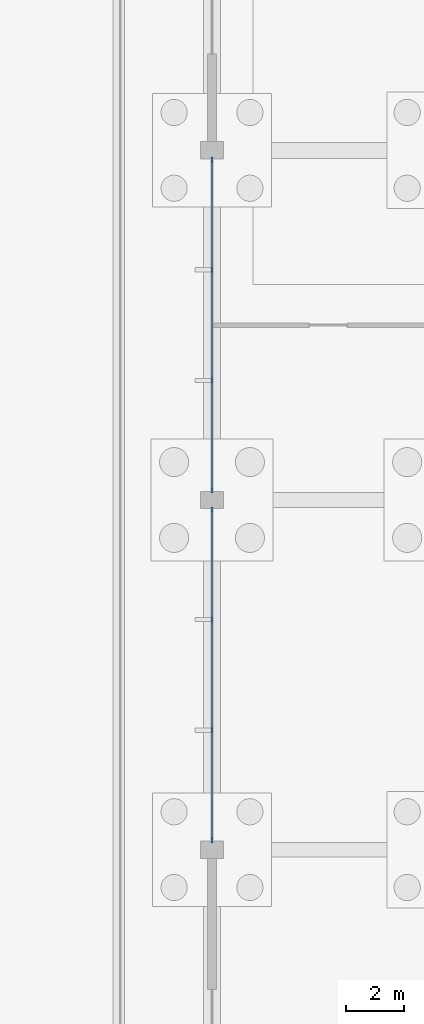
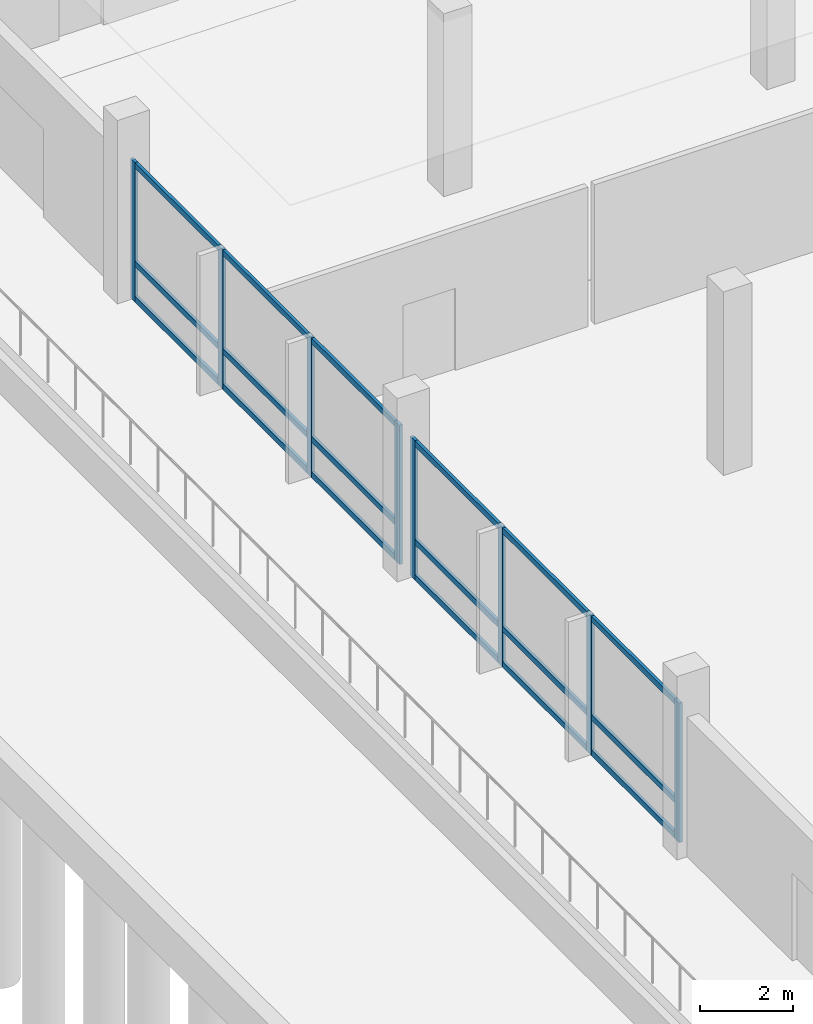
# One storey, part 23 of 72: 26 members, 2 elements without a shape of their own.
"""IFC4 building model written with IfcOpenShell, lengths in metres."""

from ifc_helpers import new_model, si_unit, direction, frame, origin, origin_2d, place, context, subcontext, project, spatial, rectangle, extrude, material, material_profile, profile_set, type_object, element, aggregate, save


model = new_model("IFC4")

# Units and contexts
model_context = context("Model", 3, precision=1e-05, world=origin(), true_north=direction((0.0, 1.0)))
body_context = subcontext(model_context, "Body", "Model", "MODEL_VIEW")
ifc_project = project(units=[si_unit("LENGTHUNIT", "METRE"), si_unit("AREAUNIT", "SQUARE_METRE"), si_unit("VOLUMEUNIT", "CUBIC_METRE"), si_unit("PLANEANGLEUNIT", "RADIAN"), si_unit("MASSUNIT", "GRAM", prefix="KILO"), si_unit("THERMODYNAMICTEMPERATUREUNIT", "KELVIN"), si_unit("POWERUNIT", "WATT")], contexts=[model_context])

# Site, building, storey
site_placement = place(None, origin())
site = spatial("IfcSite", under=ifc_project, at=site_placement, CompositionType="ELEMENT")
building_placement = place(site_placement, origin())
building = spatial("IfcBuilding", under=site, at=building_placement, Name="Kronsvod Quay Wholesale Market", CompositionType="ELEMENT")
storey_placement = place(building_placement, origin())
storey = spatial("IfcBuildingStorey", under=building, at=storey_placement, Name="L00", CompositionType="ELEMENT", Elevation=0.0)

# Curtain wall, members
ifc_material_1 = material(Name="Thermally broken aluminium and triple low-E glazing", Category="aluminium")
curtain_wall_type = type_object("IfcCurtainWallType", Name="CW_WestLab90x37", PredefinedType="NOTDEFINED", material=ifc_material_1)
curtain_wall_1_placement = place(storey_placement, origin())
curtain_wall_1 = element("IfcCurtainWall", 1, at=curtain_wall_1_placement, inside=storey, type_object=curtain_wall_type, Name="CWGY-L00-0-660", PredefinedType="NOTDEFINED")
ifc_material_2 = material(Name="Anodised aluminium", Category="aluminium")
ifc_material_profile_1 = material_profile(ifc_material_2, rectangle(XDim=0.074951171875, YDim=0.199951171875, at=origin_2d()), Name="ALUM75x200")
ifc_profile_set_1 = profile_set([ifc_material_profile_1], Name="Anodised aluminium")
member_type_1 = type_object("IfcMemberType", Name="Mullion_ALU75x200", PredefinedType="MULLION", material=ifc_profile_set_1)
member_1_placement = place(storey_placement, frame((0.0, 77.66748046875, 0.0), z_axis=(0.0, 0.0, 1.0), x_axis=(1.0, 0.0, 0.0)))
member_1 = element("IfcMember", 2, at=member_1_placement, type_object=member_type_1, Name="CWGY-L00-0-660-M1", PredefinedType="MULLION", context=body_context, shape_type="SweptSolid", body=[
    extrude(rectangle(XDim=0.074951171875, YDim=0.199951171875, at=origin_2d()), origin(), (0.0, 0.0, 1.0), 3.64990234375),
])
member_2_placement = place(storey_placement, frame((0.0, 73.901611328125, 0.0), z_axis=(0.0, 0.0, 1.0), x_axis=(1.0, 0.0, 0.0)))
member_2 = element("IfcMember", 3, at=member_2_placement, type_object=member_type_1, Name="CWGY-L00-0-660-M2", PredefinedType="MULLION", context=body_context, shape_type="SweptSolid", body=[
    extrude(rectangle(XDim=0.074951171875, YDim=0.199951171875, at=origin_2d()), origin(), (0.0, 0.0, 1.0), 3.64990234375),
])
member_3_placement = place(storey_placement, frame((0.0, 70.098388671875, 0.0), z_axis=(0.0, 0.0, 1.0), x_axis=(1.0, 0.0, 0.0)))
member_3 = element("IfcMember", 4, at=member_3_placement, type_object=member_type_1, Name="CWGY-L00-0-660-M3", PredefinedType="MULLION", context=body_context, shape_type="SweptSolid", body=[
    extrude(rectangle(XDim=0.074951171875, YDim=0.199951171875, at=origin_2d()), origin(), (0.0, 0.0, 1.0), 3.64990234375),
])
member_4_placement = place(storey_placement, frame((0.0, 66.33251953125, 0.0), z_axis=(0.0, 0.0, 1.0), x_axis=(1.0, 0.0, 0.0)))
member_4 = element("IfcMember", 5, at=member_4_placement, type_object=member_type_1, Name="CWGY-L00-0-660-M4", PredefinedType="MULLION", context=body_context, shape_type="SweptSolid", body=[
    extrude(rectangle(XDim=0.074951171875, YDim=0.199951171875, at=origin_2d()), origin(), (0.0, 0.0, 1.0), 3.64990234375),
])

curtain_wall_2_placement = place(storey_placement, origin())
curtain_wall_2 = element("IfcCurtainWall", 6, at=curtain_wall_2_placement, inside=storey, type_object=curtain_wall_type, Name="CWGY-L00-0-780", PredefinedType="NOTDEFINED")
member_5_placement = place(storey_placement, frame((0.0, 89.66748046875, 0.0), z_axis=(0.0, 0.0, 1.0), x_axis=(1.0, 0.0, 0.0)))
member_5 = element("IfcMember", 7, at=member_5_placement, type_object=member_type_1, Name="CWGY-L00-0-780-M1", PredefinedType="MULLION", context=body_context, shape_type="SweptSolid", body=[
    extrude(rectangle(XDim=0.074951171875, YDim=0.199951171875, at=origin_2d()), origin(), (0.0, 0.0, 1.0), 3.64990234375),
])
member_6_placement = place(storey_placement, frame((0.0, 85.901611328125, 0.0), z_axis=(0.0, 0.0, 1.0), x_axis=(1.0, 0.0, 0.0)))
member_6 = element("IfcMember", 8, at=member_6_placement, type_object=member_type_1, Name="CWGY-L00-0-780-M2", PredefinedType="MULLION", context=body_context, shape_type="SweptSolid", body=[
    extrude(rectangle(XDim=0.074951171875, YDim=0.199951171875, at=origin_2d()), origin(), (0.0, 0.0, 1.0), 3.64990234375),
])
member_7_placement = place(storey_placement, frame((0.0, 82.098388671875, 0.0), z_axis=(0.0, 0.0, 1.0), x_axis=(1.0, 0.0, 0.0)))
member_7 = element("IfcMember", 9, at=member_7_placement, type_object=member_type_1, Name="CWGY-L00-0-780-M3", PredefinedType="MULLION", context=body_context, shape_type="SweptSolid", body=[
    extrude(rectangle(XDim=0.074951171875, YDim=0.199951171875, at=origin_2d()), origin(), (0.0, 0.0, 1.0), 3.64990234375),
])
member_8_placement = place(storey_placement, frame((0.0, 78.33251953125, 0.0), z_axis=(0.0, 0.0, 1.0), x_axis=(1.0, 0.0, 0.0)))
member_8 = element("IfcMember", 10, at=member_8_placement, type_object=member_type_1, Name="CWGY-L00-0-780-M4", PredefinedType="MULLION", context=body_context, shape_type="SweptSolid", body=[
    extrude(rectangle(XDim=0.074951171875, YDim=0.199951171875, at=origin_2d()), origin(), (0.0, 0.0, 1.0), 3.64990234375),
])

# Member
ifc_material_3 = material(Name="Anodised aluminium", Category="aluminium")
ifc_material_profile_2 = material_profile(ifc_material_3, rectangle(XDim=0.074951171875, YDim=0.14990234375, at=origin_2d()), Name="ALUT75x150")
ifc_profile_set_2 = profile_set([ifc_material_profile_2], Name="Anodised aluminium")
member_type_2 = type_object("IfcMemberType", Name="Transom_ALU75x150", PredefinedType="USERDEFINED", material=ifc_profile_set_2)
member_9_placement = place(storey_placement, frame((0.0, 77.6298828125, 0.074951171875), z_axis=(0.0, -1.0, 0.0), x_axis=(1.0, 0.0, 0.0)))
member_9 = element("IfcMember", 11, at=member_9_placement, type_object=member_type_2, Name="CWGY-L00-0-660-T1B1", ObjectType="TRANSOM", PredefinedType="USERDEFINED", context=body_context, shape_type="SweptSolid", body=[
    extrude(rectangle(XDim=0.074951171875, YDim=0.14990234375, at=origin_2d()), origin(), (0.0, 0.0, 1.0), 3.690673828125),
])

member_10_placement = place(storey_placement, frame((0.0, 73.8642578125, 0.074951171875), z_axis=(0.0, -1.0, 0.0), x_axis=(1.0, 0.0, 0.0)))
member_10 = element("IfcMember", 12, at=member_10_placement, type_object=member_type_2, Name="CWGY-L00-0-660-T1B2", ObjectType="TRANSOM", PredefinedType="USERDEFINED", context=body_context, shape_type="SweptSolid", body=[
    extrude(rectangle(XDim=0.074951171875, YDim=0.14990234375, at=origin_2d()), origin(), (0.0, 0.0, 1.0), 3.728515625),
])

member_11_placement = place(storey_placement, frame((0.0, 70.060791015625, 0.074951171875), z_axis=(0.0, -1.0, 0.0), x_axis=(1.0, 0.0, 0.0)))
member_11 = element("IfcMember", 13, at=member_11_placement, type_object=member_type_2, Name="CWGY-L00-0-660-T1B3", ObjectType="TRANSOM", PredefinedType="USERDEFINED", context=body_context, shape_type="SweptSolid", body=[
    extrude(rectangle(XDim=0.074951171875, YDim=0.14990234375, at=origin_2d()), origin(), (0.0, 0.0, 1.0), 3.690673828125),
])

member_12_placement = place(storey_placement, frame((0.0, 77.6298828125, 1.0), z_axis=(0.0, -1.0, 0.0), x_axis=(1.0, 0.0, 0.0)))
member_12 = element("IfcMember", 14, at=member_12_placement, type_object=member_type_2, Name="CWGY-L00-0-660-T2B1", ObjectType="TRANSOM", PredefinedType="USERDEFINED", context=body_context, shape_type="SweptSolid", body=[
    extrude(rectangle(XDim=0.074951171875, YDim=0.14990234375, at=origin_2d()), origin(), (0.0, 0.0, 1.0), 3.690673828125),
])

member_13_placement = place(storey_placement, frame((0.0, 73.8642578125, 1.0), z_axis=(0.0, -1.0, 0.0), x_axis=(1.0, 0.0, 0.0)))
member_13 = element("IfcMember", 15, at=member_13_placement, type_object=member_type_2, Name="CWGY-L00-0-660-T2B2", ObjectType="TRANSOM", PredefinedType="USERDEFINED", context=body_context, shape_type="SweptSolid", body=[
    extrude(rectangle(XDim=0.074951171875, YDim=0.14990234375, at=origin_2d()), origin(), (0.0, 0.0, 1.0), 3.728515625),
])

member_14_placement = place(storey_placement, frame((0.0, 70.060791015625, 1.0), z_axis=(0.0, -1.0, 0.0), x_axis=(1.0, 0.0, 0.0)))
member_14 = element("IfcMember", 16, at=member_14_placement, type_object=member_type_2, Name="CWGY-L00-0-660-T2B3", ObjectType="TRANSOM", PredefinedType="USERDEFINED", context=body_context, shape_type="SweptSolid", body=[
    extrude(rectangle(XDim=0.074951171875, YDim=0.14990234375, at=origin_2d()), origin(), (0.0, 0.0, 1.0), 3.690673828125),
])

member_15_placement = place(storey_placement, frame((0.0, 77.6298828125, 3.574951171875), z_axis=(0.0, -1.0, 0.0), x_axis=(1.0, 0.0, 0.0)))
member_15 = element("IfcMember", 17, at=member_15_placement, type_object=member_type_2, Name="CWGY-L00-0-660-T3B1", ObjectType="TRANSOM", PredefinedType="USERDEFINED", context=body_context, shape_type="SweptSolid", body=[
    extrude(rectangle(XDim=0.074951171875, YDim=0.14990234375, at=origin_2d()), origin(), (0.0, 0.0, 1.0), 3.690673828125),
])

member_16_placement = place(storey_placement, frame((0.0, 73.8642578125, 3.574951171875), z_axis=(0.0, -1.0, 0.0), x_axis=(1.0, 0.0, 0.0)))
member_16 = element("IfcMember", 18, at=member_16_placement, type_object=member_type_2, Name="CWGY-L00-0-660-T3B2", ObjectType="TRANSOM", PredefinedType="USERDEFINED", context=body_context, shape_type="SweptSolid", body=[
    extrude(rectangle(XDim=0.074951171875, YDim=0.14990234375, at=origin_2d()), origin(), (0.0, 0.0, 1.0), 3.728515625),
])

member_17_placement = place(storey_placement, frame((0.0, 70.060791015625, 3.574951171875), z_axis=(0.0, -1.0, 0.0), x_axis=(1.0, 0.0, 0.0)))
member_17 = element("IfcMember", 19, at=member_17_placement, type_object=member_type_2, Name="CWGY-L00-0-660-T3B3", ObjectType="TRANSOM", PredefinedType="USERDEFINED", context=body_context, shape_type="SweptSolid", body=[
    extrude(rectangle(XDim=0.074951171875, YDim=0.14990234375, at=origin_2d()), origin(), (0.0, 0.0, 1.0), 3.690673828125),
])

aggregate(curtain_wall_1, [member_1, member_2, member_3, member_4, member_9, member_10, member_11, member_12, member_13, member_14, member_15, member_16, member_17])

member_18_placement = place(storey_placement, frame((0.0, 89.6298828125, 0.074951171875), z_axis=(0.0, -1.0, 0.0), x_axis=(1.0, 0.0, 0.0)))
member_18 = element("IfcMember", 20, at=member_18_placement, type_object=member_type_2, Name="CWGY-L00-0-780-T1B1", ObjectType="TRANSOM", PredefinedType="USERDEFINED", context=body_context, shape_type="SweptSolid", body=[
    extrude(rectangle(XDim=0.074951171875, YDim=0.14990234375, at=origin_2d()), origin(), (0.0, 0.0, 1.0), 3.690673828125),
])

member_19_placement = place(storey_placement, frame((0.0, 85.8642578125, 0.074951171875), z_axis=(0.0, -1.0, 0.0), x_axis=(1.0, 0.0, 0.0)))
member_19 = element("IfcMember", 21, at=member_19_placement, type_object=member_type_2, Name="CWGY-L00-0-780-T1B2", ObjectType="TRANSOM", PredefinedType="USERDEFINED", context=body_context, shape_type="SweptSolid", body=[
    extrude(rectangle(XDim=0.074951171875, YDim=0.14990234375, at=origin_2d()), origin(), (0.0, 0.0, 1.0), 3.728515625),
])

member_20_placement = place(storey_placement, frame((0.0, 82.060791015625, 0.074951171875), z_axis=(0.0, -1.0, 0.0), x_axis=(1.0, 0.0, 0.0)))
member_20 = element("IfcMember", 22, at=member_20_placement, type_object=member_type_2, Name="CWGY-L00-0-780-T1B3", ObjectType="TRANSOM", PredefinedType="USERDEFINED", context=body_context, shape_type="SweptSolid", body=[
    extrude(rectangle(XDim=0.074951171875, YDim=0.14990234375, at=origin_2d()), origin(), (0.0, 0.0, 1.0), 3.690673828125),
])

member_21_placement = place(storey_placement, frame((0.0, 89.6298828125, 1.0), z_axis=(0.0, -1.0, 0.0), x_axis=(1.0, 0.0, 0.0)))
member_21 = element("IfcMember", 23, at=member_21_placement, type_object=member_type_2, Name="CWGY-L00-0-780-T2B1", ObjectType="TRANSOM", PredefinedType="USERDEFINED", context=body_context, shape_type="SweptSolid", body=[
    extrude(rectangle(XDim=0.074951171875, YDim=0.14990234375, at=origin_2d()), origin(), (0.0, 0.0, 1.0), 3.690673828125),
])

member_22_placement = place(storey_placement, frame((0.0, 85.8642578125, 1.0), z_axis=(0.0, -1.0, 0.0), x_axis=(1.0, 0.0, 0.0)))
member_22 = element("IfcMember", 24, at=member_22_placement, type_object=member_type_2, Name="CWGY-L00-0-780-T2B2", ObjectType="TRANSOM", PredefinedType="USERDEFINED", context=body_context, shape_type="SweptSolid", body=[
    extrude(rectangle(XDim=0.074951171875, YDim=0.14990234375, at=origin_2d()), origin(), (0.0, 0.0, 1.0), 3.728515625),
])

member_23_placement = place(storey_placement, frame((0.0, 82.060791015625, 1.0), z_axis=(0.0, -1.0, 0.0), x_axis=(1.0, 0.0, 0.0)))
member_23 = element("IfcMember", 25, at=member_23_placement, type_object=member_type_2, Name="CWGY-L00-0-780-T2B3", ObjectType="TRANSOM", PredefinedType="USERDEFINED", context=body_context, shape_type="SweptSolid", body=[
    extrude(rectangle(XDim=0.074951171875, YDim=0.14990234375, at=origin_2d()), origin(), (0.0, 0.0, 1.0), 3.690673828125),
])

member_24_placement = place(storey_placement, frame((0.0, 89.6298828125, 3.574951171875), z_axis=(0.0, -1.0, 0.0), x_axis=(1.0, 0.0, 0.0)))
member_24 = element("IfcMember", 26, at=member_24_placement, type_object=member_type_2, Name="CWGY-L00-0-780-T3B1", ObjectType="TRANSOM", PredefinedType="USERDEFINED", context=body_context, shape_type="SweptSolid", body=[
    extrude(rectangle(XDim=0.074951171875, YDim=0.14990234375, at=origin_2d()), origin(), (0.0, 0.0, 1.0), 3.690673828125),
])

member_25_placement = place(storey_placement, frame((0.0, 85.8642578125, 3.574951171875), z_axis=(0.0, -1.0, 0.0), x_axis=(1.0, 0.0, 0.0)))
member_25 = element("IfcMember", 27, at=member_25_placement, type_object=member_type_2, Name="CWGY-L00-0-780-T3B2", ObjectType="TRANSOM", PredefinedType="USERDEFINED", context=body_context, shape_type="SweptSolid", body=[
    extrude(rectangle(XDim=0.074951171875, YDim=0.14990234375, at=origin_2d()), origin(), (0.0, 0.0, 1.0), 3.728515625),
])

member_26_placement = place(storey_placement, frame((0.0, 82.060791015625, 3.574951171875), z_axis=(0.0, -1.0, 0.0), x_axis=(1.0, 0.0, 0.0)))
member_26 = element("IfcMember", 28, at=member_26_placement, type_object=member_type_2, Name="CWGY-L00-0-780-T3B3", ObjectType="TRANSOM", PredefinedType="USERDEFINED", context=body_context, shape_type="SweptSolid", body=[
    extrude(rectangle(XDim=0.074951171875, YDim=0.14990234375, at=origin_2d()), origin(), (0.0, 0.0, 1.0), 3.690673828125),
])

aggregate(curtain_wall_2, [member_5, member_6, member_7, member_8, member_18, member_19, member_20, member_21, member_22, member_23, member_24, member_25, member_26])

save(model, "model.ifc")
